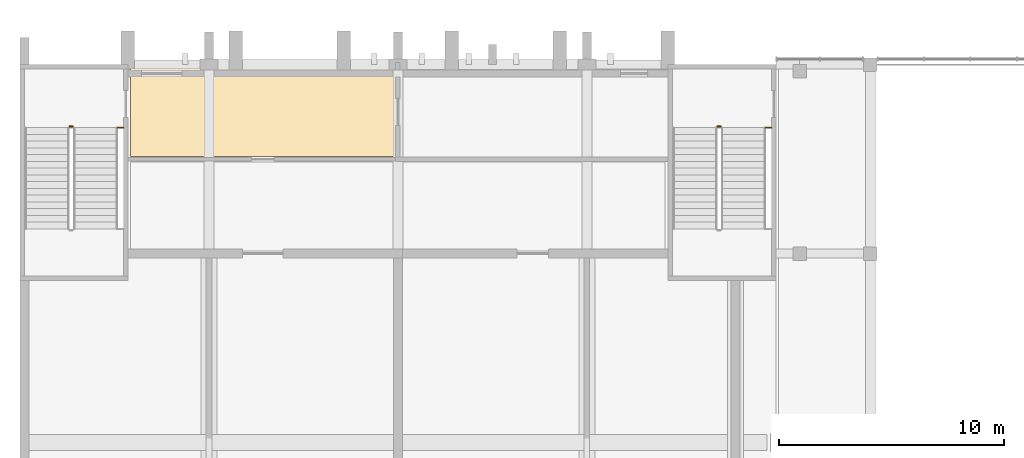
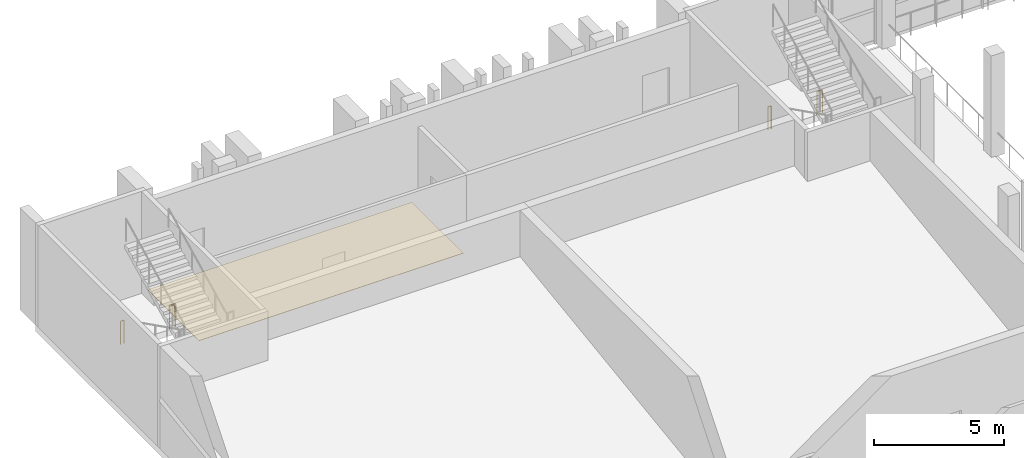
# One storey, part 80 of 86: 4 railings, 1 covering.
"""IFC4 building model written with IfcOpenShell, lengths in metres."""

from ifc_helpers import new_model, si_unit, direction, frame, origin, origin_2d, place, context, subcontext, project, spatial, polyline, circle, outline, extrude, material, layer, layer_set, type_object, element, save


model = new_model("IFC4")

# Units and contexts
model_context = context("Model", 3, precision=1e-05, world=origin(), true_north=direction((0.0, 1.0)))
body_context = subcontext(model_context, "Body", "Model", "MODEL_VIEW")
ifc_project = project(units=[si_unit("LENGTHUNIT", "METRE"), si_unit("AREAUNIT", "SQUARE_METRE"), si_unit("VOLUMEUNIT", "CUBIC_METRE"), si_unit("PLANEANGLEUNIT", "RADIAN"), si_unit("MASSUNIT", "GRAM", prefix="KILO")], contexts=[model_context])

# Site, building, storey
site_placement = place(None, origin())
site = spatial("IfcSite", under=ifc_project, at=site_placement, CompositionType="ELEMENT")
building_placement = place(site_placement, origin())
building = spatial("IfcBuilding", under=site, at=building_placement, Name="Kiln Court Media Centre", CompositionType="ELEMENT")
storey_placement = place(building_placement, frame((0.0, 0.0, 10.199951171875)))
storey = spatial("IfcBuildingStorey", under=building, at=storey_placement, Name="L02", CompositionType="ELEMENT", Elevation=10.199951171875)

# Covering
ifc_material_1 = material(Name="Carpet tile")
ifc_layer = layer(ifc_material_1, 0.014892578125)
ifc_layer_set = layer_set([ifc_layer], Name="Carpet tile floor finish 15")
covering_type = type_object("IfcCoveringType", Name="Carpet tile floor finish 15", PredefinedType="FLOORING", material=ifc_layer_set)
covering_placement = place(storey_placement, origin())
element("IfcCovering", 1, at=covering_placement, inside=storey, type_object=covering_type, Name="Cinema Staff Room floor finish", PredefinedType="FLOORING", context=body_context, shape_type="SweptSolid", body=[
    extrude(outline(polyline([(16.679931640625, 67.080078125), (4.919921875, 67.080078125), (4.919921875, 63.1201171875), (16.679931640625, 63.1201171875), (16.679931640625, 67.080078125)])), origin(), (0.0, 0.0, 1.0), 0.01513671875),
])

# Railings
ifc_material_2 = material(Name="Steel S275", Category="steel")
railing_type = type_object("IfcRailingType", Name="Steel S275 stair guard 1100", PredefinedType="GUARDRAIL", material=ifc_material_2)
railing_1_placement = place(storey_placement, frame((2.199951171875, 64.449951171875, 0.0)))
element("IfcRailing", 2, at=railing_1_placement, inside=storey, type_object=railing_type, Name="ST-07 stair guard", PredefinedType="GUARDRAIL", context=body_context, shape_type="SweptSolid", body=[
    extrude(circle(Radius=0.02392578125, at=origin_2d()), frame((0.0, 0.0, 1.076171875), z_axis=(1.0, 0.0, 0.0), x_axis=(0.0, 1.0, 0.0)), (0.0, 0.0, 1.0), 0.150146484375),
    extrude(circle(Radius=0.02099609375, at=origin_2d()), origin(), (0.0, 0.0, 1.0), 1.052001953125),
    extrude(circle(Radius=0.02099609375, at=origin_2d()), frame((0.150146484375, 0.0, 0.0)), (0.0, 0.0, 1.0), 1.052001953125),
])
railing_2_placement = place(storey_placement, frame((4.35009765625, 64.39990234375, 0.0)))
element("IfcRailing", 3, at=railing_2_placement, inside=storey, type_object=railing_type, Name="ST-07 landing edge guard", PredefinedType="GUARDRAIL", context=body_context, shape_type="SweptSolid", body=[
    extrude(circle(Radius=0.02392578125, at=origin_2d()), frame((0.0, 0.0, 1.076171875), z_axis=(1.0, 0.0, 0.0), x_axis=(0.0, 1.0, 0.0)), (0.0, 0.0, 1.0), 0.25),
    extrude(circle(Radius=0.02099609375, at=origin_2d()), origin(), (0.0, 0.0, 1.0), 1.052001953125),
    extrude(circle(Radius=0.02099609375, at=origin_2d()), frame((0.25, 0.0, 0.0)), (0.0, 0.0, 1.0), 1.052001953125),
])
railing_3_placement = place(storey_placement, frame((31.0, 64.449951171875, 0.0)))
element("IfcRailing", 4, at=railing_3_placement, inside=storey, type_object=railing_type, Name="ST-08 stair guard", PredefinedType="GUARDRAIL", context=body_context, shape_type="SweptSolid", body=[
    extrude(circle(Radius=0.02392578125, at=origin_2d()), frame((0.0, 0.0, 1.076171875), z_axis=(1.0, 0.0, 0.0), x_axis=(0.0, 1.0, 0.0)), (0.0, 0.0, 1.0), 0.14990234375),
    extrude(circle(Radius=0.02099609375, at=origin_2d()), origin(), (0.0, 0.0, 1.0), 1.052001953125),
    extrude(circle(Radius=0.02099609375, at=origin_2d()), frame((0.14990234375, 0.0, 0.0)), (0.0, 0.0, 1.0), 1.052001953125),
])
railing_4_placement = place(storey_placement, frame((33.14990234375, 64.39990234375, 0.0)))
element("IfcRailing", 5, at=railing_4_placement, inside=storey, type_object=railing_type, Name="ST-08 landing edge guard", PredefinedType="GUARDRAIL", context=body_context, shape_type="SweptSolid", body=[
    extrude(circle(Radius=0.02392578125, at=origin_2d()), frame((0.0, 0.0, 1.076171875), z_axis=(1.0, 0.0, 0.0), x_axis=(0.0, 1.0, 0.0)), (0.0, 0.0, 1.0), 0.25),
    extrude(circle(Radius=0.02099609375, at=origin_2d()), origin(), (0.0, 0.0, 1.0), 1.052001953125),
    extrude(circle(Radius=0.02099609375, at=origin_2d()), frame((0.25, 0.0, 0.0)), (0.0, 0.0, 1.0), 1.052001953125),
])

save(model, "model.ifc")
